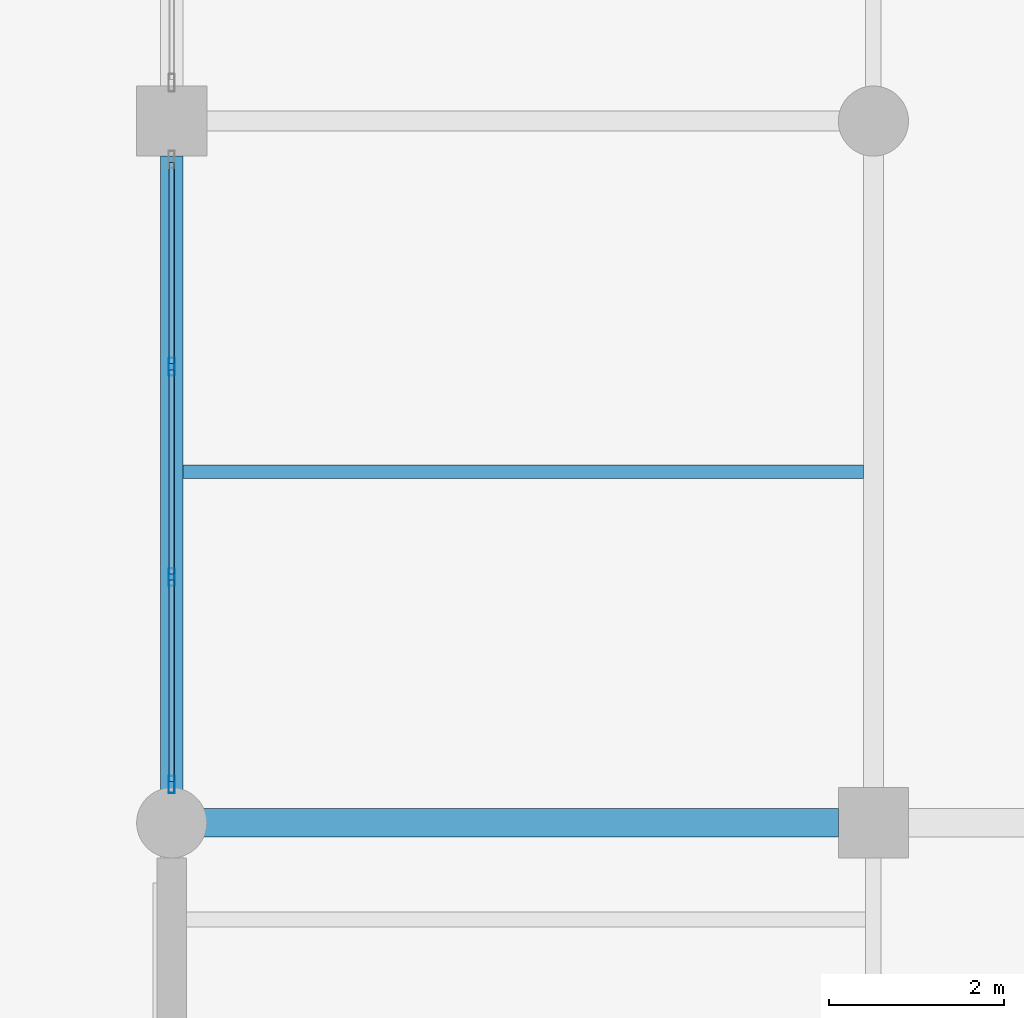
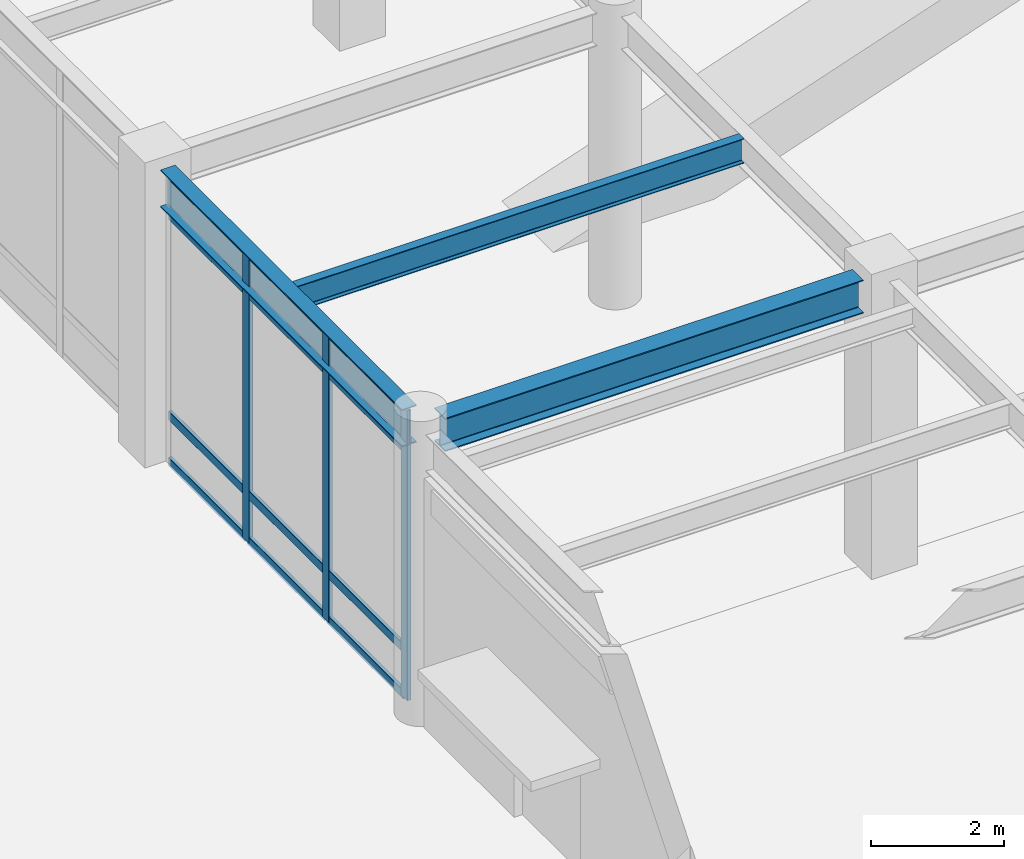
# One storey, part 49 of 128: 15 members, 3 beams, 1 element without a shape of its own.
"""IFC4 building model written with IfcOpenShell, lengths in metres."""

from ifc_helpers import new_model, si_unit, direction, frame, origin, origin_2d, place, context, subcontext, project, spatial, hollow_rectangle, i_section, extrude, material, material_profile, profile_set, type_object, element, aggregate, save


model = new_model("IFC4")

# Units and contexts
model_context = context("Model", 3, precision=1e-05, world=origin(), true_north=direction((0.0, 1.0)))
body_context = subcontext(model_context, "Body", "Model", "MODEL_VIEW")
ifc_project = project(units=[si_unit("LENGTHUNIT", "METRE"), si_unit("AREAUNIT", "SQUARE_METRE"), si_unit("VOLUMEUNIT", "CUBIC_METRE"), si_unit("PLANEANGLEUNIT", "RADIAN"), si_unit("MASSUNIT", "GRAM", prefix="KILO")], contexts=[model_context])

# Site, building, storey
site_placement = place(None, origin())
site = spatial("IfcSite", under=ifc_project, at=site_placement, CompositionType="ELEMENT")
building_placement = place(site_placement, origin())
building = spatial("IfcBuilding", under=site, at=building_placement, Name="Solmirada Galleria", CompositionType="ELEMENT")
storey_placement = place(building_placement, origin())
storey = spatial("IfcBuildingStorey", under=building, at=storey_placement, Name="L00", CompositionType="ELEMENT", Elevation=0.0)

# Beams
ifc_material_1 = material(Name="Steel S355 / ASTM A992 Grade 50", Category="steel")
ifc_material_profile_1 = material_profile(ifc_material_1, i_section(OverallWidth=0.323974609375, OverallDepth=0.611083984375, WebThickness=0.0126953125, FlangeThickness=0.01904296875, FilletRadius=0.014892578125, at=origin_2d()), Name="W24X104")
ifc_profile_set_1 = profile_set([ifc_material_profile_1], Name="Steel S355 / ASTM A992 Grade 50")
beam_type_1 = type_object("IfcBeamType", Name="BM-GIRD-W24A", PredefinedType="BEAM", material=ifc_profile_set_1)
beam_1_placement = place(storey_placement, frame((80.3359375, 48.0, 5.054443359375), z_axis=(1.0, 0.0, 0.0), x_axis=(0.0, 1.0, 0.0)))
element("IfcBeam", 1, at=beam_1_placement, inside=storey, type_object=beam_type_1, Name="Primary beam L01 X(80..88, 48)", PredefinedType="BEAM", context=body_context, shape_type="SweptSolid", body=[
    extrude(i_section(OverallWidth=0.323974609375, OverallDepth=0.611083984375, WebThickness=0.0126953125, FlangeThickness=0.01904296875, FilletRadius=0.014892578125, at=origin_2d()), origin(), (0.0, 0.0, 1.0), 7.26416015625),
])
ifc_material_profile_2 = material_profile(ifc_material_1, i_section(OverallWidth=0.25390625, OverallDepth=0.68408203125, WebThickness=0.012451171875, FlangeThickness=0.018798828125, FilletRadius=0.01708984375, at=origin_2d()), Name="W27X94")
ifc_profile_set_2 = profile_set([ifc_material_profile_2], Name="Steel S355 / ASTM A992 Grade 50")
beam_type_2 = type_object("IfcBeamType", Name="BM-GIRD-W27B", PredefinedType="BEAM", material=ifc_profile_set_2)
beam_2_placement = place(storey_placement, frame((80.0, 48.3359375, 5.0380859375), z_axis=(0.0, 1.0, 0.0), x_axis=(-1.0, 0.0, 0.0)))
element("IfcBeam", 2, at=beam_2_placement, inside=storey, type_object=beam_type_2, Name="Primary girder L01 Y(80, 48..56)", PredefinedType="BEAM", context=body_context, shape_type="SweptSolid", body=[
    extrude(i_section(OverallWidth=0.25390625, OverallDepth=0.68408203125, WebThickness=0.012451171875, FlangeThickness=0.018798828125, FilletRadius=0.01708984375, at=origin_2d()), origin(), (0.0, 0.0, 1.0), 7.26416015625),
])
ifc_material_profile_3 = material_profile(ifc_material_1, i_section(OverallWidth=0.153076171875, OverallDepth=0.455078125, WebThickness=0.008056640625, FlangeThickness=0.01318359375, FilletRadius=0.011962890625, at=origin_2d()), Name="W18X40")
ifc_profile_set_3 = profile_set([ifc_material_profile_3], Name="Steel S355 / ASTM A992 Grade 50")
beam_type_3 = type_object("IfcBeamType", Name="BM-JST-W18A", PredefinedType="JOIST", material=ifc_profile_set_3)
beam_3_placement = place(storey_placement, frame((80.126953125, 52.0, 5.152587890625), z_axis=(1.0, 0.0, 0.0), x_axis=(0.0, 1.0, 0.0)))
element("IfcBeam", 3, at=beam_3_placement, inside=storey, type_object=beam_type_3, Name="Composite floor joist L01 (80..88, 52.0)", PredefinedType="JOIST", context=body_context, shape_type="SweptSolid", body=[
    extrude(i_section(OverallWidth=0.153076171875, OverallDepth=0.455078125, WebThickness=0.008056640625, FlangeThickness=0.01318359375, FilletRadius=0.011962890625, at=origin_2d()), origin(), (0.0, 0.0, 1.0), 7.759033203125),
])

# Curtain wall, members
ifc_material_2 = material(Name="Impact-resistant low-E double glazing", Category="glass")
curtain_wall_type = type_object("IfcCurtainWallType", Name="CW-FZ3-L00-B3-L072", PredefinedType="NOTDEFINED", material=ifc_material_2)
curtain_wall_placement = place(storey_placement, origin())
curtain_wall = element("IfcCurtainWall", 4, at=curtain_wall_placement, inside=storey, type_object=curtain_wall_type, Name="Terrace and arcade storefront CW-L00-001", PredefinedType="NOTDEFINED")
ifc_material_3 = material(Name="Anodised aluminium framing", Category="aluminium")
ifc_material_profile_4 = material_profile(ifc_material_3, hollow_rectangle(XDim=0.070068359375, YDim=0.199951171875, WallThickness=0.004150390625, InnerFilletRadius=0.004150390625, OuterFilletRadius=0.00830078125, at=origin_2d()), Name="ALU-MULL-200X70")
ifc_profile_set_4 = profile_set([ifc_material_profile_4], Name="Anodised aluminium framing")
member_type_1 = type_object("IfcMemberType", Name="CW-MULL-200", PredefinedType="MULLION", material=ifc_profile_set_4)
member_1_placement = place(storey_placement, frame((80.0, 48.43701171875, 0.0), z_axis=(0.0, 0.0, 1.0), x_axis=(-1.0, 0.0, 0.0)))
member_1 = element("IfcMember", 5, at=member_1_placement, type_object=member_type_1, Name="CW01 mullion 1", PredefinedType="MULLION", context=body_context, shape_type="SweptSolid", body=[
    extrude(hollow_rectangle(XDim=0.070068359375, YDim=0.199951171875, WallThickness=0.004150390625, InnerFilletRadius=0.004150390625, OuterFilletRadius=0.00830078125, at=origin_2d()), origin(), (0.0, 0.0, 1.0), 5.320068359375),
])
member_2_placement = place(storey_placement, frame((80.0, 50.80078125, 0.0), z_axis=(0.0, 0.0, 1.0), x_axis=(-1.0, 0.0, 0.0)))
member_2 = element("IfcMember", 6, at=member_2_placement, type_object=member_type_1, Name="CW01 mullion 2", PredefinedType="MULLION", context=body_context, shape_type="SweptSolid", body=[
    extrude(hollow_rectangle(XDim=0.070068359375, YDim=0.199951171875, WallThickness=0.004150390625, InnerFilletRadius=0.004150390625, OuterFilletRadius=0.00830078125, at=origin_2d()), origin(), (0.0, 0.0, 1.0), 5.320068359375),
])
member_3_placement = place(storey_placement, frame((80.0, 53.19921875, 0.0), z_axis=(0.0, 0.0, 1.0), x_axis=(-1.0, 0.0, 0.0)))
member_3 = element("IfcMember", 7, at=member_3_placement, type_object=member_type_1, Name="CW01 mullion 3", PredefinedType="MULLION", context=body_context, shape_type="SweptSolid", body=[
    extrude(hollow_rectangle(XDim=0.070068359375, YDim=0.199951171875, WallThickness=0.004150390625, InnerFilletRadius=0.004150390625, OuterFilletRadius=0.00830078125, at=origin_2d()), origin(), (0.0, 0.0, 1.0), 5.320068359375),
])
ifc_material_profile_5 = material_profile(ifc_material_3, hollow_rectangle(XDim=0.06494140625, YDim=0.159912109375, WallThickness=0.00390625, InnerFilletRadius=0.00390625, OuterFilletRadius=0.007568359375, at=origin_2d()), Name="ALU-TRAN-160X65")
ifc_profile_set_5 = profile_set([ifc_material_profile_5], Name="Anodised aluminium framing")
member_type_2 = type_object("IfcMemberType", Name="CW-TRAN-160", PredefinedType="USERDEFINED", material=ifc_profile_set_5)
member_4_placement = place(storey_placement, frame((80.0, 48.471923828125, 0.032470703125), z_axis=(0.0, 1.0, 0.0), x_axis=(-1.0, 0.0, 0.0)))
member_4 = element("IfcMember", 8, at=member_4_placement, type_object=member_type_2, Name="CW01 transom 1.1", ObjectType="TRANSOM", PredefinedType="USERDEFINED", context=body_context, shape_type="SweptSolid", body=[
    extrude(hollow_rectangle(XDim=0.06494140625, YDim=0.159912109375, WallThickness=0.00390625, InnerFilletRadius=0.00390625, OuterFilletRadius=0.007568359375, at=origin_2d()), origin(), (0.0, 0.0, 1.0), 2.293701171875),
])
member_5_placement = place(storey_placement, frame((80.0, 48.471923828125, 0.8798828125), z_axis=(0.0, 1.0, 0.0), x_axis=(-1.0, 0.0, 0.0)))
member_5 = element("IfcMember", 9, at=member_5_placement, type_object=member_type_2, Name="CW01 transom 1.2", ObjectType="TRANSOM", PredefinedType="USERDEFINED", context=body_context, shape_type="SweptSolid", body=[
    extrude(hollow_rectangle(XDim=0.06494140625, YDim=0.159912109375, WallThickness=0.00390625, InnerFilletRadius=0.00390625, OuterFilletRadius=0.007568359375, at=origin_2d()), origin(), (0.0, 0.0, 1.0), 2.293701171875),
])
member_6_placement = place(storey_placement, frame((80.0, 48.471923828125, 4.56005859375), z_axis=(0.0, 1.0, 0.0), x_axis=(-1.0, 0.0, 0.0)))
member_6 = element("IfcMember", 10, at=member_6_placement, type_object=member_type_2, Name="CW01 transom 1.3", ObjectType="TRANSOM", PredefinedType="USERDEFINED", context=body_context, shape_type="SweptSolid", body=[
    extrude(hollow_rectangle(XDim=0.06494140625, YDim=0.159912109375, WallThickness=0.00390625, InnerFilletRadius=0.00390625, OuterFilletRadius=0.007568359375, at=origin_2d()), origin(), (0.0, 0.0, 1.0), 2.293701171875),
])
member_7_placement = place(storey_placement, frame((80.0, 48.471923828125, 5.28759765625), z_axis=(0.0, 1.0, 0.0), x_axis=(-1.0, 0.0, 0.0)))
member_7 = element("IfcMember", 11, at=member_7_placement, type_object=member_type_2, Name="CW01 transom 1.4", ObjectType="TRANSOM", PredefinedType="USERDEFINED", context=body_context, shape_type="SweptSolid", body=[
    extrude(hollow_rectangle(XDim=0.06494140625, YDim=0.159912109375, WallThickness=0.00390625, InnerFilletRadius=0.00390625, OuterFilletRadius=0.007568359375, at=origin_2d()), origin(), (0.0, 0.0, 1.0), 2.293701171875),
])
member_8_placement = place(storey_placement, frame((80.0, 50.835693359375, 0.032470703125), z_axis=(0.0, 1.0, 0.0), x_axis=(-1.0, 0.0, 0.0)))
member_8 = element("IfcMember", 12, at=member_8_placement, type_object=member_type_2, Name="CW01 transom 2.1", ObjectType="TRANSOM", PredefinedType="USERDEFINED", context=body_context, shape_type="SweptSolid", body=[
    extrude(hollow_rectangle(XDim=0.06494140625, YDim=0.159912109375, WallThickness=0.00390625, InnerFilletRadius=0.00390625, OuterFilletRadius=0.007568359375, at=origin_2d()), origin(), (0.0, 0.0, 1.0), 2.32861328125),
])
member_9_placement = place(storey_placement, frame((80.0, 50.835693359375, 0.8798828125), z_axis=(0.0, 1.0, 0.0), x_axis=(-1.0, 0.0, 0.0)))
member_9 = element("IfcMember", 13, at=member_9_placement, type_object=member_type_2, Name="CW01 transom 2.2", ObjectType="TRANSOM", PredefinedType="USERDEFINED", context=body_context, shape_type="SweptSolid", body=[
    extrude(hollow_rectangle(XDim=0.06494140625, YDim=0.159912109375, WallThickness=0.00390625, InnerFilletRadius=0.00390625, OuterFilletRadius=0.007568359375, at=origin_2d()), origin(), (0.0, 0.0, 1.0), 2.32861328125),
])
member_10_placement = place(storey_placement, frame((80.0, 50.835693359375, 4.56005859375), z_axis=(0.0, 1.0, 0.0), x_axis=(-1.0, 0.0, 0.0)))
member_10 = element("IfcMember", 14, at=member_10_placement, type_object=member_type_2, Name="CW01 transom 2.3", ObjectType="TRANSOM", PredefinedType="USERDEFINED", context=body_context, shape_type="SweptSolid", body=[
    extrude(hollow_rectangle(XDim=0.06494140625, YDim=0.159912109375, WallThickness=0.00390625, InnerFilletRadius=0.00390625, OuterFilletRadius=0.007568359375, at=origin_2d()), origin(), (0.0, 0.0, 1.0), 2.32861328125),
])
member_11_placement = place(storey_placement, frame((80.0, 50.835693359375, 5.28759765625), z_axis=(0.0, 1.0, 0.0), x_axis=(-1.0, 0.0, 0.0)))
member_11 = element("IfcMember", 15, at=member_11_placement, type_object=member_type_2, Name="CW01 transom 2.4", ObjectType="TRANSOM", PredefinedType="USERDEFINED", context=body_context, shape_type="SweptSolid", body=[
    extrude(hollow_rectangle(XDim=0.06494140625, YDim=0.159912109375, WallThickness=0.00390625, InnerFilletRadius=0.00390625, OuterFilletRadius=0.007568359375, at=origin_2d()), origin(), (0.0, 0.0, 1.0), 2.32861328125),
])
member_12_placement = place(storey_placement, frame((80.0, 53.234375, 0.032470703125), z_axis=(0.0, 1.0, 0.0), x_axis=(-1.0, 0.0, 0.0)))
member_12 = element("IfcMember", 16, at=member_12_placement, type_object=member_type_2, Name="CW01 transom 3.1", ObjectType="TRANSOM", PredefinedType="USERDEFINED", context=body_context, shape_type="SweptSolid", body=[
    extrude(hollow_rectangle(XDim=0.06494140625, YDim=0.159912109375, WallThickness=0.00390625, InnerFilletRadius=0.00390625, OuterFilletRadius=0.007568359375, at=origin_2d()), origin(), (0.0, 0.0, 1.0), 2.293701171875),
])
member_13_placement = place(storey_placement, frame((80.0, 53.234375, 0.8798828125), z_axis=(0.0, 1.0, 0.0), x_axis=(-1.0, 0.0, 0.0)))
member_13 = element("IfcMember", 17, at=member_13_placement, type_object=member_type_2, Name="CW01 transom 3.2", ObjectType="TRANSOM", PredefinedType="USERDEFINED", context=body_context, shape_type="SweptSolid", body=[
    extrude(hollow_rectangle(XDim=0.06494140625, YDim=0.159912109375, WallThickness=0.00390625, InnerFilletRadius=0.00390625, OuterFilletRadius=0.007568359375, at=origin_2d()), origin(), (0.0, 0.0, 1.0), 2.293701171875),
])
member_14_placement = place(storey_placement, frame((80.0, 53.234375, 4.56005859375), z_axis=(0.0, 1.0, 0.0), x_axis=(-1.0, 0.0, 0.0)))
member_14 = element("IfcMember", 18, at=member_14_placement, type_object=member_type_2, Name="CW01 transom 3.3", ObjectType="TRANSOM", PredefinedType="USERDEFINED", context=body_context, shape_type="SweptSolid", body=[
    extrude(hollow_rectangle(XDim=0.06494140625, YDim=0.159912109375, WallThickness=0.00390625, InnerFilletRadius=0.00390625, OuterFilletRadius=0.007568359375, at=origin_2d()), origin(), (0.0, 0.0, 1.0), 2.293701171875),
])
member_15_placement = place(storey_placement, frame((80.0, 53.234375, 5.28759765625), z_axis=(0.0, 1.0, 0.0), x_axis=(-1.0, 0.0, 0.0)))
member_15 = element("IfcMember", 19, at=member_15_placement, type_object=member_type_2, Name="CW01 transom 3.4", ObjectType="TRANSOM", PredefinedType="USERDEFINED", context=body_context, shape_type="SweptSolid", body=[
    extrude(hollow_rectangle(XDim=0.06494140625, YDim=0.159912109375, WallThickness=0.00390625, InnerFilletRadius=0.00390625, OuterFilletRadius=0.007568359375, at=origin_2d()), origin(), (0.0, 0.0, 1.0), 2.293701171875),
])
aggregate(curtain_wall, [member_1, member_2, member_3, member_4, member_5, member_6, member_7, member_8, member_9, member_10, member_11, member_12, member_13, member_14, member_15])

save(model, "model.ifc")
